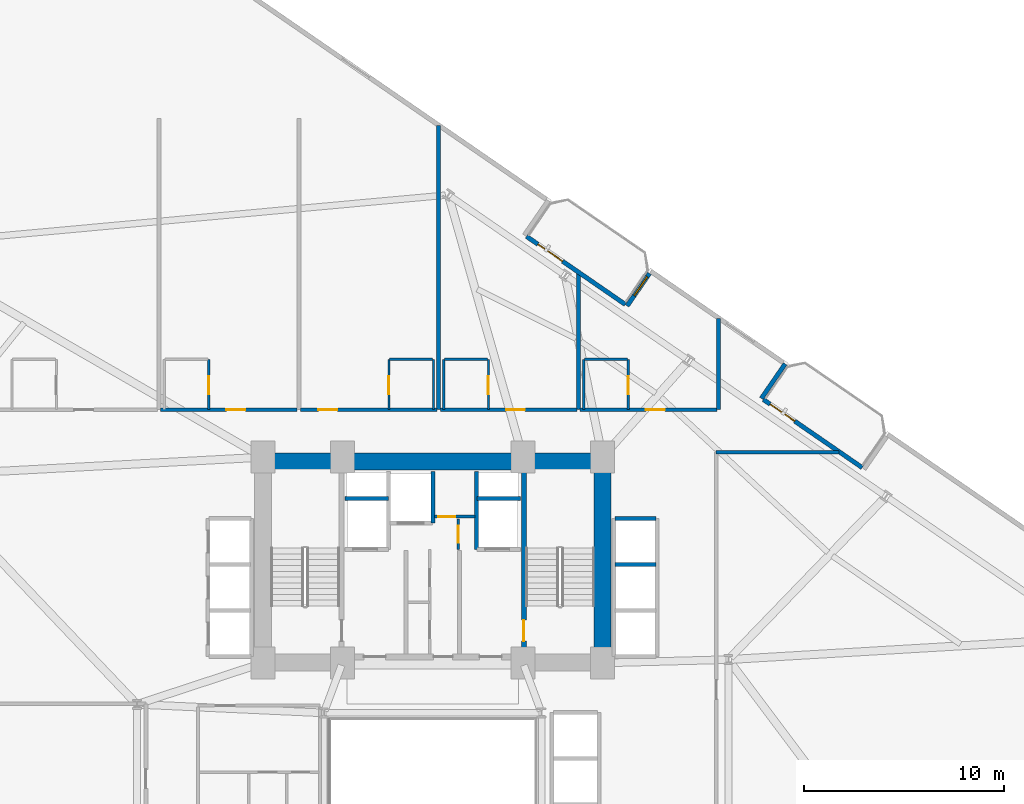
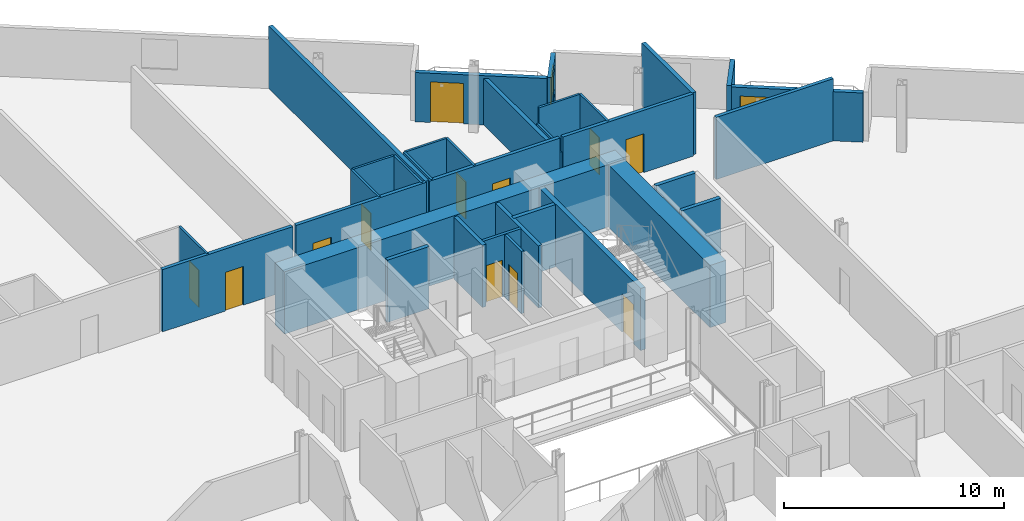
# One storey, part 20 of 25: 33 walls, 13 doors, 1 window, 14 openings.
"""IFC4 building model written with IfcOpenShell, lengths in metres."""

import ifcopenshell
import ifcopenshell.guid

model = None  # the IFC model being written
_history = None  # IfcOwnerHistory: only IFC2X3 demands one
_inside = {}  # id of a spatial element -> (the spatial element, [elements in it])
_under = {}  # id of a project, library or spatial element -> (it, [spatial elements below it])
_declared = {}  # id of a project -> (the project, [libraries it declares])
_typed = {}  # id of a type object -> (the type object, [elements of that type])
_made_of = {}  # id of a material, layer set ... -> (it, [elements and type objects made of it])


def new_model(schema):
    """Start an empty IFC model of exactly this schema.

    Asked for "IFC4X3", IfcOpenShell would pick the latest addendum, in which some entities
    have other attributes; the version numbers below select the first issue.
    IFC2X3 requires an IfcOwnerHistory on every rooted entity: one is made here for all.
    """
    global model, _history
    if schema == "IFC4X3":
        model = ifcopenshell.file(schema_version=(4, 3, 0, 0))
    else:
        model = ifcopenshell.file(schema=schema)
    _inside.clear()
    _under.clear()
    _declared.clear()
    _typed.clear()
    _made_of.clear()
    _history = None
    if model.schema == "IFC2X3":
        org = make("IfcOrganization", Name="unknown")
        user = make(
            "IfcPersonAndOrganization",
            ThePerson=make("IfcPerson", FamilyName="unknown"),
            TheOrganization=org,
        )
        app = make(
            "IfcApplication",
            ApplicationDeveloper=org,
            Version="unknown",
            ApplicationFullName="unknown",
            ApplicationIdentifier="unknown",
        )
        _history = make(
            "IfcOwnerHistory",
            OwningUser=user,
            OwningApplication=app,
            ChangeAction="ADDED",
            CreationDate=0,
        )
    return model


def make(cls, **values):
    """One entity of the class cls with the attributes given. An attribute that is None is left unset."""
    return model.create_entity(
        cls, **{name: value for name, value in values.items() if value is not None}
    )


def rooted(cls, **values):
    """An entity with a GlobalId (a new one), such as an element, a storey or a relation."""
    return make(cls, GlobalId=ifcopenshell.guid.new(), OwnerHistory=_history, **values)


def si_unit(unit_type, name, prefix=None):
    """IfcSIUnit, for example si_unit("LENGTHUNIT", "METRE", prefix="MILLI")."""
    return make("IfcSIUnit", UnitType=unit_type, Prefix=prefix, Name=name)


def assignment(units):
    """IfcUnitAssignment: the units of a project."""
    return None if units is None else make("IfcUnitAssignment", Units=units)


def point(xyz):
    """IfcCartesianPoint."""
    return None if xyz is None else make("IfcCartesianPoint", Coordinates=xyz)


def direction(xyz):
    """IfcDirection."""
    return None if xyz is None else make("IfcDirection", DirectionRatios=xyz)


def frame(location, z_axis=None, x_axis=None):
    """IfcAxis2Placement3D, a coordinate frame: its origin and axes. An axis left out is left unset."""
    return make(
        "IfcAxis2Placement3D",
        Location=point(location),
        Axis=direction(z_axis),
        RefDirection=direction(x_axis),
    )


def frame_2d(location, x_axis=None):
    """IfcAxis2Placement2D, a coordinate frame in the plane: its origin and x axis."""
    return make(
        "IfcAxis2Placement2D", Location=point(location), RefDirection=direction(x_axis)
    )


def origin():
    """The frame at (0, 0, 0) with its axes left unset."""
    return frame((0.0, 0.0, 0.0))


def place(relative_to, where):
    """IfcLocalPlacement: puts the frame where relative to a parent placement (None: the world)."""
    return make(
        "IfcLocalPlacement", PlacementRelTo=relative_to, RelativePlacement=where
    )


def context(
    kind, dimensions, precision=None, world=None, true_north=None, identifier=None
):
    """IfcGeometricRepresentationContext, for example the 3D "Model" context."""
    return make(
        "IfcGeometricRepresentationContext",
        ContextIdentifier=identifier,
        ContextType=kind,
        CoordinateSpaceDimension=dimensions,
        Precision=precision,
        WorldCoordinateSystem=world,
        TrueNorth=true_north,
    )


def subcontext(parent, identifier, kind, view, scale=None):
    """IfcGeometricRepresentationSubContext, for example "Body" below "Model"."""
    return make(
        "IfcGeometricRepresentationSubContext",
        ContextIdentifier=identifier,
        ContextType=kind,
        ParentContext=parent,
        TargetScale=scale,
        TargetView=view,
    )


def project(units=None, contexts=None):
    """IfcProject with its units and contexts."""
    return rooted(
        "IfcProject",
        Name="project",
        RepresentationContexts=contexts,
        UnitsInContext=assignment(units),
    )


def spatial(cls, under=None, at=None, **own):
    """A site, building, storey or space (cls), placed at a placement, below another one or the project."""
    s = rooted(cls, ObjectPlacement=at, **own)
    if under is not None:
        _under.setdefault(under.id(), (under, []))[1].append(s)
    return s


def profile(cls, at=None, kind="AREA", **sizes):
    """A parametric profile (cls). Its sizes go by their IFC names, for example OverallWidth=200.0."""
    return make(cls, ProfileType=kind, Position=at, **sizes)


def rectangle(**sizes):
    """IfcRectangleProfileDef."""
    return profile("IfcRectangleProfileDef", **sizes)


def extrude(swept, where, along, depth):
    """IfcExtrudedAreaSolid: the profile swept, set in the frame where, extruded along a direction by depth."""
    return make(
        "IfcExtrudedAreaSolid",
        SweptArea=swept,
        Position=where,
        ExtrudedDirection=direction(along),
        Depth=depth,
    )


def shape(context_of_items, identifier, shape_type, items):
    """IfcShapeRepresentation: the items that make up one representation, for example the "Body"."""
    return make(
        "IfcShapeRepresentation",
        ContextOfItems=context_of_items,
        RepresentationIdentifier=identifier,
        RepresentationType=shape_type,
        Items=items,
    )


def material(Name=None, Category=None):
    """IfcMaterial."""
    return make("IfcMaterial", Name=Name, Category=Category)


def layer(
    of_material, thickness, ventilated=None, Name=None, Category=None, Priority=None
):
    """IfcMaterialLayer: one layer of a wall or slab, of a material (None: an air gap)."""
    return make(
        "IfcMaterialLayer",
        Material=of_material,
        LayerThickness=thickness,
        IsVentilated=ventilated,
        Name=Name,
        Category=Category,
        Priority=Priority,
    )


def layer_set(layers, Name=None):
    """IfcMaterialLayerSet."""
    return make("IfcMaterialLayerSet", MaterialLayers=layers, LayerSetName=Name)


def made_of(thing, what):
    """Note that an element or type object is made of a material, layer set ...; save() writes the relation."""
    if what is not None:
        _made_of.setdefault(what.id(), (what, []))[1].append(thing)
    return thing


def type_object(cls, material=None, **own):
    """A type object (cls), such as IfcWallType, which elements share."""
    return made_of(rooted(cls, **own), material)


def element(
    cls,
    number,
    at=None,
    inside=None,
    cuts=None,
    type_object=None,
    material=None,
    context=None,
    identifier="Body",
    shape_type=None,
    held_by="IfcProductDefinitionShape",
    body=None,
    shapes=None,
    **own,
):
    """One element of the class cls, such as IfcWall. Its Tag is "e" and its number.

    at: its placement. inside: the storey or other place that contains it. cuts: it is an
    opening in that element (IfcRelVoidsElement). A single representation is given by context,
    identifier, shape_type and body (its items); several are given by shapes. held_by: the class
    of the entity that holds the representations. save() writes the other relations.
    """
    e = rooted(cls, Tag="e%d" % number, ObjectPlacement=at, **own)
    if body is not None:
        shapes = [shape(context, identifier, shape_type, body)]
    if shapes is not None:
        e.Representation = make(held_by, Representations=shapes)
    if inside is not None:
        _inside.setdefault(inside.id(), (inside, []))[1].append(e)
    if cuts is not None:
        rooted(
            "IfcRelVoidsElement", RelatingBuildingElement=cuts, RelatedOpeningElement=e
        )
    if type_object is not None:
        _typed.setdefault(type_object.id(), (type_object, []))[1].append(e)
    return made_of(e, material)


def fill(opening, filler):
    """IfcRelFillsElement: the door or window that sits in an opening."""
    return rooted(
        "IfcRelFillsElement",
        RelatingOpeningElement=opening,
        RelatedBuildingElement=filler,
    )


def aggregate(whole, parts):
    """IfcRelAggregates: a whole, such as a stair, and the parts it consists of."""
    return rooted("IfcRelAggregates", RelatingObject=whole, RelatedObjects=parts)


def save(model, path):
    """Write the relations noted so far, then the file.

    IfcRelAggregates (storeys below a building ...), IfcRelContainedInSpatialStructure (elements
    in a storey), IfcRelDefinesByType, IfcRelAssociatesMaterial and IfcRelDeclares: one each for
    every whole, place, type object, material and project.
    """
    for whole, parts in _under.values():
        aggregate(whole, parts)
    for where, things in _inside.values():
        rooted(
            "IfcRelContainedInSpatialStructure",
            RelatedElements=things,
            RelatingStructure=where,
        )
    for kind, things in _typed.values():
        rooted("IfcRelDefinesByType", RelatedObjects=things, RelatingType=kind)
    for what, things in _made_of.values():
        rooted("IfcRelAssociatesMaterial", RelatedObjects=things, RelatingMaterial=what)
    for by, libraries in _declared.values():
        rooted("IfcRelDeclares", RelatingContext=by, RelatedDefinitions=libraries)
    model.write(path)


model = new_model("IFC4")

# Units and contexts
model_context = context("Model", 3, precision=1e-05, world=origin(), true_north=direction((0.0, 1.0)))
body_context = subcontext(model_context, "Body", "Model", "MODEL_VIEW")
ifc_project = project(units=[si_unit("LENGTHUNIT", "METRE"), si_unit("AREAUNIT", "SQUARE_METRE"), si_unit("VOLUMEUNIT", "CUBIC_METRE"), si_unit("PLANEANGLEUNIT", "RADIAN"), si_unit("MASSUNIT", "GRAM", prefix="KILO")], contexts=[model_context])

# Site, building, storey
site_placement = place(None, origin())
site = spatial("IfcSite", under=ifc_project, at=site_placement, CompositionType="ELEMENT")
building_placement = place(site_placement, origin())
building = spatial("IfcBuilding", under=site, at=building_placement, Name="Varnelok Gate Tower", CompositionType="ELEMENT")
storey_placement = place(building_placement, frame((0.0, 0.0, 34.39990234375)))
storey = spatial("IfcBuildingStorey", under=building, at=storey_placement, Name="L07", CompositionType="ELEMENT", Elevation=34.39990234375)

# Wall, opening, door
ifc_material_1 = material(Name="Concrete C45/55", Category="concrete")
ifc_layer_1 = layer(ifc_material_1, 0.219970703125)
ifc_layer_set_1 = layer_set([ifc_layer_1], Name="Concrete C45/55")
wall_type_1 = type_object("IfcWallType", Name="EW-BALC-220", PredefinedType="SOLIDWALL", material=ifc_layer_set_1)
wall_1_placement = place(storey_placement, frame((43.898193359375, 50.1015625, 0.0), z_axis=(0.0, 0.0, 1.0), x_axis=(0.823534636215, -0.567265989598, 0.0)))
wall_1 = element("IfcWall", 1, at=wall_1_placement, inside=storey, type_object=wall_type_1, Name="L07 North Terrace Envelope Wall 3", PredefinedType="SOLIDWALL", context=body_context, shape_type="SweptSolid", body=[
    extrude(rectangle(XDim=6.0, YDim=0.219970703125, at=frame_2d((3.0, 0.0))), origin(), (0.0, 0.0, 1.0), 2.72998046875),
])
opening_1_placement = place(wall_1_placement, frame((0.696044921875, 0.0, 0.0)))
opening_1 = element("IfcOpeningElement", 2, at=opening_1_placement, cuts=wall_1, Name="Opening BD-1", PredefinedType="OPENING", context=body_context, shape_type="SweptSolid", body=[
    extrude(rectangle(XDim=1.5, YDim=2.25, at=frame_2d((0.75, 1.125))), frame((0.0, 0.119873046875, 0.0), z_axis=(0.0, -1.0, 0.0), x_axis=(1.0, 0.0, 0.0)), (0.0, 0.0, 1.0), 0.239990234375),
])
ifc_material_2 = material(Name="Anodized Aluminum Alloy 6063-T6", Category="aluminium")
door_type_1 = type_object("IfcDoorType", Name="DR-EXT-BALC1500", OperationType="NOTDEFINED", PredefinedType="DOOR", material=ifc_material_2)
door_1_placement = place(opening_1_placement, origin())
door_1 = element("IfcDoor", 3, at=door_1_placement, inside=storey, type_object=door_type_1, Name="L07 North Balcony Glazed Door 3", OperationType="SINGLE_SWING_RIGHT", OverallHeight=2.25, OverallWidth=1.5, PredefinedType="DOOR", context=body_context, shape_type="SweptSolid", body=[
    extrude(rectangle(XDim=1.5, YDim=2.25, at=frame_2d((0.75, 1.125))), frame((0.0, 0.02490234375, 0.0), z_axis=(0.0, -1.0, 0.0), x_axis=(1.0, 0.0, 0.0)), (0.0, 0.0, 1.0), 0.050048828125),
])
fill(opening_1, door_1)

wall_2_placement = place(storey_placement, frame((55.757080078125, 41.932861328125, 0.0), z_axis=(0.0, 0.0, 1.0), x_axis=(0.823534636215, -0.567265989598, 0.0)))
wall_2 = element("IfcWall", 4, at=wall_2_placement, inside=storey, type_object=wall_type_1, Name="L07 North Terrace Envelope Wall 4", PredefinedType="SOLIDWALL", context=body_context, shape_type="SweptSolid", body=[
    extrude(rectangle(XDim=6.0, YDim=0.219970703125, at=frame_2d((3.0, 0.0))), origin(), (0.0, 0.0, 1.0), 2.72998046875),
])
opening_2_placement = place(wall_2_placement, frame((0.39990234375, 0.0, 0.0)))
opening_2 = element("IfcOpeningElement", 5, at=opening_2_placement, cuts=wall_2, Name="Opening BD-1", PredefinedType="OPENING", context=body_context, shape_type="SweptSolid", body=[
    extrude(rectangle(XDim=1.5, YDim=2.25, at=frame_2d((0.75, 1.125))), frame((0.0, 0.119873046875, 0.0), z_axis=(0.0, -1.0, 0.0), x_axis=(1.0, 0.0, 0.0)), (0.0, 0.0, 1.0), 0.239990234375),
])
door_2_placement = place(opening_2_placement, origin())
door_2 = element("IfcDoor", 6, at=door_2_placement, inside=storey, type_object=door_type_1, Name="L07 North Balcony Glazed Door 4", OperationType="SINGLE_SWING_LEFT", OverallHeight=2.25, OverallWidth=1.5, PredefinedType="DOOR", context=body_context, shape_type="SweptSolid", body=[
    extrude(rectangle(XDim=1.5, YDim=2.25, at=frame_2d((0.75, 1.125))), frame((0.0, 0.02490234375, 0.0), z_axis=(0.0, -1.0, 0.0), x_axis=(1.0, 0.0, 0.0)), (0.0, 0.0, 1.0), 0.050048828125),
])
fill(opening_2, door_2)

# Wall
wall_3_placement = place(storey_placement, frame((55.652587890625, 41.99267578125, 0.0), z_axis=(0.0, 0.0, 1.0), x_axis=(0.567273696173, 0.823529327729, 0.0)))
element("IfcWall", 7, at=wall_3_placement, inside=storey, type_object=wall_type_1, Name="L07 Perimeter Facade Closure Wall 28", PredefinedType="SOLIDWALL", context=body_context, shape_type="SweptSolid", body=[
    extrude(rectangle(XDim=2.099853515625, YDim=0.219970703125, at=frame_2d((1.0498046875, 0.0))), origin(), (0.0, 0.0, 1.0), 2.72998046875),
])

# Wall, opening, window
wall_4_placement = place(storey_placement, frame((50.052978515625, 48.248046875, 0.0), z_axis=(0.0, 0.0, 1.0), x_axis=(-0.567273565974, -0.823529417415, 0.0)))
wall_4 = element("IfcWall", 8, at=wall_4_placement, inside=storey, type_object=wall_type_1, Name="L07 Perimeter Facade Closure Wall 30", PredefinedType="SOLIDWALL", context=body_context, shape_type="SweptSolid", body=[
    extrude(rectangle(XDim=1.97509765625, YDim=0.219970703125, at=frame_2d((0.987548828125, 0.0))), origin(), (0.0, 0.0, 1.0), 2.72998046875),
])
opening_3_placement = place(wall_4_placement, frame((0.199951171875, 0.0, 0.800048828125)))
opening_3 = element("IfcOpeningElement", 9, at=opening_3_placement, cuts=wall_4, Name="Opening WN8", PredefinedType="OPENING", context=body_context, shape_type="SweptSolid", body=[
    extrude(rectangle(XDim=1.14990234375, YDim=1.39990234375, at=frame_2d((0.574951171875, 0.699951171875))), frame((0.0, 0.119873046875, 0.0), z_axis=(0.0, -1.0, 0.0), x_axis=(1.0, 0.0, 0.0)), (0.0, 0.0, 1.0), 0.239990234375),
])
ifc_material_3 = material(Name="Low-E Laminated Double Glazing IGU", Category="glass")
window_type = type_object("IfcWindowType", Name="WN-BED-1150", PartitioningType="SINGLE_PANEL", PredefinedType="WINDOW", material=ifc_material_3)
window_placement = place(opening_3_placement, origin())
window = element("IfcWindow", 10, at=window_placement, inside=storey, type_object=window_type, Name="L07 Bedroom Vision Window 6", OverallHeight=1.39990234375, OverallWidth=1.14990234375, PartitioningType="SINGLE_PANEL", PredefinedType="WINDOW", context=body_context, shape_type="SweptSolid", body=[
    extrude(rectangle(XDim=1.14990234375, YDim=1.39990234375, at=frame_2d((0.574951171875, 0.699951171875))), frame((0.0, 0.030029296875, 0.0), z_axis=(0.0, -1.0, 0.0), x_axis=(1.0, 0.0, 0.0)), (0.0, 0.0, 1.0), 0.06005859375),
])
fill(opening_3, window)

# Wall, opening, door
ifc_material_4 = material(Name="Gypsum Plasterboard Acoustic Partition", Category="gypsum")
ifc_layer_2 = layer(ifc_material_4, 0.179931640625)
ifc_layer_set_2 = layer_set([ifc_layer_2], Name="Gypsum Plasterboard Acoustic Partition")
wall_type_2 = type_object("IfcWallType", Name="PW-CORR-180", PredefinedType="PARTITIONING", material=ifc_layer_set_2)
wall_5_placement = place(storey_placement, frame((25.580078125, 41.429931640625, 0.0), z_axis=(0.0, 0.0, 1.0), x_axis=(1.0, 0.0, 0.0)))
wall_5 = element("IfcWall", 11, at=wall_5_placement, inside=storey, type_object=wall_type_2, Name="Interior Partition", PredefinedType="PARTITIONING", context=body_context, shape_type="SweptSolid", body=[
    extrude(rectangle(XDim=6.83984375, YDim=0.179931640625, at=frame_2d((3.419921875, 0.0))), origin(), (0.0, 0.0, 1.0), 3.4501953125),
])
opening_4_placement = place(wall_5_placement, frame((3.2900390625, 0.0, 0.0)))
opening_4 = element("IfcOpeningElement", 12, at=opening_4_placement, cuts=wall_5, Name="Opening D-HT", PredefinedType="OPENING", context=body_context, shape_type="SweptSolid", body=[
    extrude(rectangle(XDim=0.949951171875, YDim=2.14990234375, at=frame_2d((0.47509765625, 1.074951171875))), frame((0.0, 0.099853515625, 0.0), z_axis=(0.0, -1.0, 0.0), x_axis=(1.0, 0.0, 0.0)), (0.0, 0.0, 1.0), 0.199951171875),
])
ifc_material_5 = material(Name="Engineered Hardwood Timber", Category="wood")
door_type_2 = type_object("IfcDoorType", Name="DR-HTL-950", OperationType="NOTDEFINED", PredefinedType="DOOR", material=ifc_material_5)
door_3_placement = place(opening_4_placement, origin())
door_3 = element("IfcDoor", 13, at=door_3_placement, inside=storey, type_object=door_type_2, Name="L07 Guest Room 14 Entrance Door", OperationType="SINGLE_SWING_LEFT", OverallHeight=2.14990234375, OverallWidth=0.949951171875, PredefinedType="DOOR", context=body_context, shape_type="SweptSolid", body=[
    extrude(rectangle(XDim=0.949951171875, YDim=2.14990234375, at=frame_2d((0.47509765625, 1.074951171875))), frame((0.0, 0.02490234375, 0.0), z_axis=(0.0, -1.0, 0.0), x_axis=(1.0, 0.0, 0.0)), (0.0, 0.0, 1.0), 0.050048828125),
])
fill(opening_4, door_3)

wall_6_placement = place(storey_placement, frame((32.580078125, 41.429931640625, 0.0), z_axis=(0.0, 0.0, 1.0), x_axis=(1.0, 0.0, 0.0)))
wall_6 = element("IfcWall", 14, at=wall_6_placement, inside=storey, type_object=wall_type_2, Name="Interior Partition", PredefinedType="PARTITIONING", context=body_context, shape_type="SweptSolid", body=[
    extrude(rectangle(XDim=6.83984375, YDim=0.179931640625, at=frame_2d((3.419921875, 0.0))), origin(), (0.0, 0.0, 1.0), 3.4501953125),
])
opening_5_placement = place(wall_6_placement, frame((0.89990234375, 0.0, 0.0)))
opening_5 = element("IfcOpeningElement", 15, at=opening_5_placement, cuts=wall_6, Name="Opening D-HT", PredefinedType="OPENING", context=body_context, shape_type="SweptSolid", body=[
    extrude(rectangle(XDim=0.949951171875, YDim=2.14990234375, at=frame_2d((0.47509765625, 1.074951171875))), frame((0.0, 0.099853515625, 0.0), z_axis=(0.0, -1.0, 0.0), x_axis=(1.0, 0.0, 0.0)), (0.0, 0.0, 1.0), 0.199951171875),
])
door_4_placement = place(opening_5_placement, origin())
door_4 = element("IfcDoor", 16, at=door_4_placement, inside=storey, type_object=door_type_2, Name="L07 Guest Room 15 Entrance Door", OperationType="SINGLE_SWING_RIGHT", OverallHeight=2.14990234375, OverallWidth=0.949951171875, PredefinedType="DOOR", context=body_context, shape_type="SweptSolid", body=[
    extrude(rectangle(XDim=0.949951171875, YDim=2.14990234375, at=frame_2d((0.47509765625, 1.074951171875))), frame((0.0, 0.02490234375, 0.0), z_axis=(0.0, -1.0, 0.0), x_axis=(1.0, 0.0, 0.0)), (0.0, 0.0, 1.0), 0.050048828125),
])
fill(opening_5, door_4)

wall_7_placement = place(storey_placement, frame((39.580078125, 41.429931640625, 0.0), z_axis=(0.0, 0.0, 1.0), x_axis=(1.0, 0.0, 0.0)))
wall_7 = element("IfcWall", 17, at=wall_7_placement, inside=storey, type_object=wall_type_2, Name="Interior Partition", PredefinedType="PARTITIONING", context=body_context, shape_type="SweptSolid", body=[
    extrude(rectangle(XDim=6.83984375, YDim=0.179931640625, at=frame_2d((3.419921875, 0.0))), origin(), (0.0, 0.0, 1.0), 3.4501953125),
])
opening_6_placement = place(wall_7_placement, frame((3.2900390625, 0.0, 0.0)))
opening_6 = element("IfcOpeningElement", 18, at=opening_6_placement, cuts=wall_7, Name="Opening D-HT", PredefinedType="OPENING", context=body_context, shape_type="SweptSolid", body=[
    extrude(rectangle(XDim=0.949951171875, YDim=2.14990234375, at=frame_2d((0.47509765625, 1.074951171875))), frame((0.0, 0.099853515625, 0.0), z_axis=(0.0, -1.0, 0.0), x_axis=(1.0, 0.0, 0.0)), (0.0, 0.0, 1.0), 0.199951171875),
])
door_5_placement = place(opening_6_placement, origin())
door_5 = element("IfcDoor", 19, at=door_5_placement, inside=storey, type_object=door_type_2, Name="L07 Guest Room 16 Entrance Door", OperationType="SINGLE_SWING_LEFT", OverallHeight=2.14990234375, OverallWidth=0.949951171875, PredefinedType="DOOR", context=body_context, shape_type="SweptSolid", body=[
    extrude(rectangle(XDim=0.949951171875, YDim=2.14990234375, at=frame_2d((0.47509765625, 1.074951171875))), frame((0.0, 0.02490234375, 0.0), z_axis=(0.0, -1.0, 0.0), x_axis=(1.0, 0.0, 0.0)), (0.0, 0.0, 1.0), 0.050048828125),
])
fill(opening_6, door_5)

wall_8_placement = place(storey_placement, frame((46.580078125, 41.429931640625, 0.0), z_axis=(0.0, 0.0, 1.0), x_axis=(1.0, 0.0, 0.0)))
wall_8 = element("IfcWall", 20, at=wall_8_placement, inside=storey, type_object=wall_type_2, Name="Interior Partition", PredefinedType="PARTITIONING", context=body_context, shape_type="SweptSolid", body=[
    extrude(rectangle(XDim=6.83984375, YDim=0.179931640625, at=frame_2d((3.419921875, 0.0))), origin(), (0.0, 0.0, 1.0), 3.4501953125),
])
opening_7_placement = place(wall_8_placement, frame((3.2900390625, 0.0, 0.0)))
opening_7 = element("IfcOpeningElement", 21, at=opening_7_placement, cuts=wall_8, Name="Opening D-HT", PredefinedType="OPENING", context=body_context, shape_type="SweptSolid", body=[
    extrude(rectangle(XDim=0.949951171875, YDim=2.14990234375, at=frame_2d((0.47509765625, 1.074951171875))), frame((0.0, 0.099853515625, 0.0), z_axis=(0.0, -1.0, 0.0), x_axis=(1.0, 0.0, 0.0)), (0.0, 0.0, 1.0), 0.199951171875),
])
door_6_placement = place(opening_7_placement, origin())
door_6 = element("IfcDoor", 22, at=door_6_placement, inside=storey, type_object=door_type_2, Name="L07 Guest Room 17 Entrance Door", OperationType="SINGLE_SWING_RIGHT", OverallHeight=2.14990234375, OverallWidth=0.949951171875, PredefinedType="DOOR", context=body_context, shape_type="SweptSolid", body=[
    extrude(rectangle(XDim=0.949951171875, YDim=2.14990234375, at=frame_2d((0.47509765625, 1.074951171875))), frame((0.0, 0.02490234375, 0.0), z_axis=(0.0, -1.0, 0.0), x_axis=(1.0, 0.0, 0.0)), (0.0, 0.0, 1.0), 0.050048828125),
])
fill(opening_7, door_6)

# Wall
wall_9_placement = place(storey_placement, frame((53.389892578125, 39.300048828125, 0.0), z_axis=(0.0, 0.0, 1.0), x_axis=(1.0, 0.0, 0.0)))
element("IfcWall", 23, at=wall_9_placement, inside=storey, type_object=wall_type_2, Name="Interior Partition", PredefinedType="PARTITIONING", context=body_context, shape_type="SweptSolid", body=[
    extrude(rectangle(XDim=6.136474609375, YDim=0.179931640625, at=frame_2d((3.068359375, 0.0))), origin(), (0.0, 0.0, 1.0), 3.4501953125),
])

# Wall, opening, door
ifc_layer_3 = layer(ifc_material_4, 0.114990234375)
ifc_layer_set_3 = layer_set([ifc_layer_3], Name="Gypsum Plasterboard Acoustic Partition")
wall_type_3 = type_object("IfcWallType", Name="PW-ENS-125", PredefinedType="PARTITIONING", material=ifc_layer_set_3)
wall_10_placement = place(storey_placement, frame((27.989990234375, 41.429931640625, 0.0), z_axis=(0.0, 0.0, 1.0), x_axis=(0.0, 1.0, 0.0)))
wall_10 = element("IfcWall", 24, at=wall_10_placement, inside=storey, type_object=wall_type_3, Name="Interior Partition", PredefinedType="PARTITIONING", context=body_context, shape_type="SweptSolid", body=[
    extrude(rectangle(XDim=2.52001953125, YDim=0.114990234375, at=frame_2d((1.260009765625, 0.0))), origin(), (0.0, 0.0, 1.0), 3.4501953125),
])
opening_8_placement = place(wall_10_placement, frame((0.760009765625, 0.0, 0.0)))
opening_8 = element("IfcOpeningElement", 25, at=opening_8_placement, cuts=wall_10, Name="Opening D-WC", PredefinedType="OPENING", context=body_context, shape_type="SweptSolid", body=[
    extrude(rectangle(XDim=0.89990234375, YDim=2.050048828125, at=frame_2d((0.449951171875, 1.02490234375))), frame((0.0, 0.0673828125, 0.0), z_axis=(0.0, -1.0, 0.0), x_axis=(1.0, 0.0, 0.0)), (0.0, 0.0, 1.0), 0.135009765625),
])
door_type_3 = type_object("IfcDoorType", Name="DR-BATH-900", OperationType="NOTDEFINED", PredefinedType="DOOR", material=ifc_material_5)
door_7_placement = place(opening_8_placement, origin())
door_7 = element("IfcDoor", 26, at=door_7_placement, inside=storey, type_object=door_type_3, Name="L07 North En-Suite 14 Door", OperationType="SINGLE_SWING_RIGHT", OverallHeight=2.050048828125, OverallWidth=0.89990234375, PredefinedType="DOOR", context=body_context, shape_type="SweptSolid", body=[
    extrude(rectangle(XDim=0.89990234375, YDim=2.050048828125, at=frame_2d((0.449951171875, 1.02490234375))), frame((0.0, 0.02490234375, 0.0), z_axis=(0.0, -1.0, 0.0), x_axis=(1.0, 0.0, 0.0)), (0.0, 0.0, 1.0), 0.050048828125),
])
fill(opening_8, door_7)

# Wall
wall_11_placement = place(storey_placement, frame((37.050048828125, 43.949951171875, 0.0), z_axis=(0.0, 0.0, 1.0), x_axis=(1.0, 0.0, 0.0)))
element("IfcWall", 27, at=wall_11_placement, inside=storey, type_object=wall_type_3, Name="Interior Partition", PredefinedType="PARTITIONING", context=body_context, shape_type="SweptSolid", body=[
    extrude(rectangle(XDim=2.14990234375, YDim=0.114990234375, at=frame_2d((1.074951171875, 0.0))), origin(), (0.0, 0.0, 1.0), 3.4501953125),
])

# Wall, opening, door
wall_12_placement = place(storey_placement, frame((37.010009765625, 41.429931640625, 0.0), z_axis=(0.0, 0.0, 1.0), x_axis=(0.0, 1.0, 0.0)))
wall_12 = element("IfcWall", 28, at=wall_12_placement, inside=storey, type_object=wall_type_3, Name="Interior Partition", PredefinedType="PARTITIONING", context=body_context, shape_type="SweptSolid", body=[
    extrude(rectangle(XDim=2.52001953125, YDim=0.114990234375, at=frame_2d((1.260009765625, 0.0))), origin(), (0.0, 0.0, 1.0), 3.4501953125),
])
opening_9_placement = place(wall_12_placement, frame((0.760009765625, 0.0, 0.0)))
opening_9 = element("IfcOpeningElement", 29, at=opening_9_placement, cuts=wall_12, Name="Opening D-WC", PredefinedType="OPENING", context=body_context, shape_type="SweptSolid", body=[
    extrude(rectangle(XDim=0.89990234375, YDim=2.050048828125, at=frame_2d((0.449951171875, 1.02490234375))), frame((0.0, 0.0673828125, 0.0), z_axis=(0.0, -1.0, 0.0), x_axis=(1.0, 0.0, 0.0)), (0.0, 0.0, 1.0), 0.135009765625),
])
door_8_placement = place(opening_9_placement, origin())
door_8 = element("IfcDoor", 30, at=door_8_placement, inside=storey, type_object=door_type_3, Name="L07 North En-Suite 15 Door", OperationType="SINGLE_SWING_LEFT", OverallHeight=2.050048828125, OverallWidth=0.89990234375, PredefinedType="DOOR", context=body_context, shape_type="SweptSolid", body=[
    extrude(rectangle(XDim=0.89990234375, YDim=2.050048828125, at=frame_2d((0.449951171875, 1.02490234375))), frame((0.0, 0.02490234375, 0.0), z_axis=(0.0, -1.0, 0.0), x_axis=(1.0, 0.0, 0.0)), (0.0, 0.0, 1.0), 0.050048828125),
])
fill(opening_9, door_8)

# Walls
wall_13_placement = place(storey_placement, frame((39.239990234375, 41.429931640625, 0.0), z_axis=(0.0, 0.0, 1.0), x_axis=(0.0, 1.0, 0.0)))
element("IfcWall", 31, at=wall_13_placement, inside=storey, type_object=wall_type_3, Name="Interior Partition", PredefinedType="PARTITIONING", context=body_context, shape_type="SweptSolid", body=[
    extrude(rectangle(XDim=2.52001953125, YDim=0.114990234375, at=frame_2d((1.260009765625, 0.0))), origin(), (0.0, 0.0, 1.0), 3.4501953125),
])
wall_14_placement = place(storey_placement, frame((39.800048828125, 43.949951171875, 0.0), z_axis=(0.0, 0.0, 1.0), x_axis=(1.0, 0.0, 0.0)))
element("IfcWall", 32, at=wall_14_placement, inside=storey, type_object=wall_type_3, Name="Interior Partition", PredefinedType="PARTITIONING", context=body_context, shape_type="SweptSolid", body=[
    extrude(rectangle(XDim=2.14990234375, YDim=0.114990234375, at=frame_2d((1.074951171875, 0.0))), origin(), (0.0, 0.0, 1.0), 3.4501953125),
])

# Wall, opening, door
wall_15_placement = place(storey_placement, frame((41.989990234375, 41.429931640625, 0.0), z_axis=(0.0, 0.0, 1.0), x_axis=(0.0, 1.0, 0.0)))
wall_15 = element("IfcWall", 33, at=wall_15_placement, inside=storey, type_object=wall_type_3, Name="Interior Partition", PredefinedType="PARTITIONING", context=body_context, shape_type="SweptSolid", body=[
    extrude(rectangle(XDim=2.52001953125, YDim=0.114990234375, at=frame_2d((1.260009765625, 0.0))), origin(), (0.0, 0.0, 1.0), 3.4501953125),
])
opening_10_placement = place(wall_15_placement, frame((0.760009765625, 0.0, 0.0)))
opening_10 = element("IfcOpeningElement", 34, at=opening_10_placement, cuts=wall_15, Name="Opening D-WC", PredefinedType="OPENING", context=body_context, shape_type="SweptSolid", body=[
    extrude(rectangle(XDim=0.89990234375, YDim=2.050048828125, at=frame_2d((0.449951171875, 1.02490234375))), frame((0.0, 0.0673828125, 0.0), z_axis=(0.0, -1.0, 0.0), x_axis=(1.0, 0.0, 0.0)), (0.0, 0.0, 1.0), 0.135009765625),
])
door_9_placement = place(opening_10_placement, origin())
door_9 = element("IfcDoor", 35, at=door_9_placement, inside=storey, type_object=door_type_3, Name="L07 North En-Suite 16 Door", OperationType="SINGLE_SWING_RIGHT", OverallHeight=2.050048828125, OverallWidth=0.89990234375, PredefinedType="DOOR", context=body_context, shape_type="SweptSolid", body=[
    extrude(rectangle(XDim=0.89990234375, YDim=2.050048828125, at=frame_2d((0.449951171875, 1.02490234375))), frame((0.0, 0.02490234375, 0.0), z_axis=(0.0, -1.0, 0.0), x_axis=(1.0, 0.0, 0.0)), (0.0, 0.0, 1.0), 0.050048828125),
])
fill(opening_10, door_9)

# Walls
wall_16_placement = place(storey_placement, frame((39.760009765625, 41.429931640625, 0.0), z_axis=(0.0, 0.0, 1.0), x_axis=(0.0, 1.0, 0.0)))
element("IfcWall", 36, at=wall_16_placement, inside=storey, type_object=wall_type_3, Name="Interior Partition", PredefinedType="PARTITIONING", context=body_context, shape_type="SweptSolid", body=[
    extrude(rectangle(XDim=2.52001953125, YDim=0.114990234375, at=frame_2d((1.260009765625, 0.0))), origin(), (0.0, 0.0, 1.0), 3.4501953125),
])
wall_17_placement = place(storey_placement, frame((46.800048828125, 43.949951171875, 0.0), z_axis=(0.0, 0.0, 1.0), x_axis=(1.0, 0.0, 0.0)))
element("IfcWall", 37, at=wall_17_placement, inside=storey, type_object=wall_type_3, Name="Interior Partition", PredefinedType="PARTITIONING", context=body_context, shape_type="SweptSolid", body=[
    extrude(rectangle(XDim=2.14990234375, YDim=0.114990234375, at=frame_2d((1.074951171875, 0.0))), origin(), (0.0, 0.0, 1.0), 3.4501953125),
])

# Wall, opening, door
wall_18_placement = place(storey_placement, frame((48.989990234375, 41.429931640625, 0.0), z_axis=(0.0, 0.0, 1.0), x_axis=(0.0, 1.0, 0.0)))
wall_18 = element("IfcWall", 38, at=wall_18_placement, inside=storey, type_object=wall_type_3, Name="Interior Partition", PredefinedType="PARTITIONING", context=body_context, shape_type="SweptSolid", body=[
    extrude(rectangle(XDim=2.52001953125, YDim=0.114990234375, at=frame_2d((1.260009765625, 0.0))), origin(), (0.0, 0.0, 1.0), 3.4501953125),
])
opening_11_placement = place(wall_18_placement, frame((0.760009765625, 0.0, 0.0)))
opening_11 = element("IfcOpeningElement", 39, at=opening_11_placement, cuts=wall_18, Name="Opening D-WC", PredefinedType="OPENING", context=body_context, shape_type="SweptSolid", body=[
    extrude(rectangle(XDim=0.89990234375, YDim=2.050048828125, at=frame_2d((0.449951171875, 1.02490234375))), frame((0.0, 0.0673828125, 0.0), z_axis=(0.0, -1.0, 0.0), x_axis=(1.0, 0.0, 0.0)), (0.0, 0.0, 1.0), 0.135009765625),
])
door_10_placement = place(opening_11_placement, origin())
door_10 = element("IfcDoor", 40, at=door_10_placement, inside=storey, type_object=door_type_3, Name="L07 North En-Suite 17 Door", OperationType="SINGLE_SWING_RIGHT", OverallHeight=2.050048828125, OverallWidth=0.89990234375, PredefinedType="DOOR", context=body_context, shape_type="SweptSolid", body=[
    extrude(rectangle(XDim=0.89990234375, YDim=2.050048828125, at=frame_2d((0.449951171875, 1.02490234375))), frame((0.0, 0.02490234375, 0.0), z_axis=(0.0, -1.0, 0.0), x_axis=(1.0, 0.0, 0.0)), (0.0, 0.0, 1.0), 0.050048828125),
])
fill(opening_11, door_10)

# Wall
wall_19_placement = place(storey_placement, frame((46.760009765625, 41.429931640625, 0.0), z_axis=(0.0, 0.0, 1.0), x_axis=(0.0, 1.0, 0.0)))
element("IfcWall", 41, at=wall_19_placement, inside=storey, type_object=wall_type_3, Name="Interior Partition", PredefinedType="PARTITIONING", context=body_context, shape_type="SweptSolid", body=[
    extrude(rectangle(XDim=2.52001953125, YDim=0.114990234375, at=frame_2d((1.260009765625, 0.0))), origin(), (0.0, 0.0, 1.0), 2.580078125),
])

# Wall, opening, door
ifc_layer_4 = layer(ifc_material_4, 0.14990234375)
ifc_layer_set_4 = layer_set([ifc_layer_4], Name="Gypsum Plasterboard Acoustic Partition")
wall_type_4 = type_object("IfcWallType", Name="PW-PART-150", PredefinedType="PARTITIONING", material=ifc_layer_set_4)
wall_20_placement = place(storey_placement, frame((39.300048828125, 36.080078125, 0.0), z_axis=(0.0, 0.0, 1.0), x_axis=(1.0, 0.0, 0.0)))
wall_20 = element("IfcWall", 42, at=wall_20_placement, inside=storey, type_object=wall_type_4, Name="L07 Electrical Closet South Wall", PredefinedType="PARTITIONING", context=body_context, shape_type="SweptSolid", body=[
    extrude(rectangle(XDim=2.02001953125, YDim=0.14990234375, at=frame_2d((1.010009765625, 0.0))), origin(), (0.0, 0.0, 1.0), 3.4501953125),
])
opening_12_placement = place(wall_20_placement, frame((0.179931640625, 0.0, 0.0)))
opening_12 = element("IfcOpeningElement", 43, at=opening_12_placement, cuts=wall_20, Name="Opening D-RS", PredefinedType="OPENING", context=body_context, shape_type="SweptSolid", body=[
    extrude(rectangle(XDim=0.85009765625, YDim=2.050048828125, at=frame_2d((0.425048828125, 1.02490234375))), frame((0.0, 0.0849609375, 0.0), z_axis=(0.0, -1.0, 0.0), x_axis=(1.0, 0.0, 0.0)), (0.0, 0.0, 1.0), 0.169921875),
])
ifc_material_6 = material(Name="Galvanized Steel Grade S350GD", Category="steel")
door_type_4 = type_object("IfcDoorType", Name="DR-RISER-850", OperationType="NOTDEFINED", PredefinedType="DOOR", material=ifc_material_6)
door_11_placement = place(opening_12_placement, origin())
door_11 = element("IfcDoor", 44, at=door_11_placement, inside=storey, type_object=door_type_4, Name="L07 Electrical Closet Door", OperationType="SINGLE_SWING_RIGHT", OverallHeight=2.050048828125, OverallWidth=0.85009765625, PredefinedType="DOOR", context=body_context, shape_type="SweptSolid", body=[
    extrude(rectangle(XDim=0.85009765625, YDim=2.050048828125, at=frame_2d((0.425048828125, 1.02490234375))), frame((0.0, 0.02490234375, 0.0), z_axis=(0.0, -1.0, 0.0), x_axis=(1.0, 0.0, 0.0)), (0.0, 0.0, 1.0), 0.050048828125),
])
fill(opening_12, door_11)

wall_21_placement = place(storey_placement, frame((40.47998046875, 34.43994140625, 0.0), z_axis=(0.0, 0.0, 1.0), x_axis=(0.0, 1.0, 0.0)))
wall_21 = element("IfcWall", 45, at=wall_21_placement, inside=storey, type_object=wall_type_4, Name="L07 Telecoms Closet West Wall", PredefinedType="PARTITIONING", context=body_context, shape_type="SweptSolid", body=[
    extrude(rectangle(XDim=1.52001953125, YDim=0.14990234375, at=frame_2d((0.760009765625, 0.0))), origin(), (0.0, 0.0, 1.0), 3.4501953125),
])
opening_13_placement = place(wall_21_placement, frame((0.320068359375, 0.0, 0.0)))
opening_13 = element("IfcOpeningElement", 46, at=opening_13_placement, cuts=wall_21, Name="Opening D-RS", PredefinedType="OPENING", context=body_context, shape_type="SweptSolid", body=[
    extrude(rectangle(XDim=0.85009765625, YDim=2.050048828125, at=frame_2d((0.425048828125, 1.02490234375))), frame((0.0, 0.0849609375, 0.0), z_axis=(0.0, -1.0, 0.0), x_axis=(1.0, 0.0, 0.0)), (0.0, 0.0, 1.0), 0.169921875),
])
door_12_placement = place(opening_13_placement, origin())
door_12 = element("IfcDoor", 47, at=door_12_placement, inside=storey, type_object=door_type_4, Name="L07 Telecoms Closet Door", OperationType="SINGLE_SWING_LEFT", OverallHeight=2.050048828125, OverallWidth=0.85009765625, PredefinedType="DOOR", context=body_context, shape_type="SweptSolid", body=[
    extrude(rectangle(XDim=0.85009765625, YDim=2.050048828125, at=frame_2d((0.425048828125, 1.02490234375))), frame((0.0, 0.02490234375, 0.0), z_axis=(0.0, -1.0, 0.0), x_axis=(1.0, 0.0, 0.0)), (0.0, 0.0, 1.0), 0.050048828125),
])
fill(opening_13, door_12)

# Walls
ifc_layer_5 = layer(ifc_material_4, 0.205078125)
ifc_layer_set_5 = layer_set([ifc_layer_5], Name="Gypsum Plasterboard Acoustic Partition")
wall_type_5 = type_object("IfcWallType", Name="PW-PARTY-200", PredefinedType="PARTITIONING", material=ifc_layer_set_5)
wall_22_placement = place(storey_placement, frame((39.5, 41.429931640625, 0.0), z_axis=(0.0, 0.0, 1.0), x_axis=(0.0, 1.0, 0.0)))
element("IfcWall", 48, at=wall_22_placement, inside=storey, type_object=wall_type_5, Name="L07 North Party Wall 3", PredefinedType="PARTITIONING", context=body_context, shape_type="SweptSolid", body=[
    extrude(rectangle(XDim=14.21484375, YDim=0.205078125, at=frame_2d((7.107421875, 0.0))), origin(), (0.0, 0.0, 1.0), 3.4501953125),
])
wall_23_placement = place(storey_placement, frame((46.5, 41.429931640625, 0.0), z_axis=(0.0, 0.0, 1.0), x_axis=(0.0, 1.0, 0.0)))
element("IfcWall", 49, at=wall_23_placement, inside=storey, type_object=wall_type_5, Name="L07 North Party Wall 4", PredefinedType="PARTITIONING", context=body_context, shape_type="SweptSolid", body=[
    extrude(rectangle(XDim=6.843017578125, YDim=0.205078125, at=frame_2d((3.42138671875, 0.0))), origin(), (0.0, 0.0, 1.0), 2.580078125),
])
wall_24_placement = place(storey_placement, frame((53.5, 41.429931640625, 0.0), z_axis=(0.0, 0.0, 1.0), x_axis=(0.0, 1.0, 0.0)))
element("IfcWall", 50, at=wall_24_placement, inside=storey, type_object=wall_type_5, Name="L07 North Party Wall 5", PredefinedType="PARTITIONING", context=body_context, shape_type="SweptSolid", body=[
    extrude(rectangle(XDim=4.5712890625, YDim=0.205078125, at=frame_2d((2.28564453125, 0.0))), origin(), (0.0, 0.0, 1.0), 3.4501953125),
])
ifc_material_7 = material(Name="Concrete C35/45", Category="concrete")
ifc_layer_6 = layer(ifc_material_7, 0.199951171875)
ifc_layer_set_6 = layer_set([ifc_layer_6], Name="Concrete C35/45")
wall_type_6 = type_object("IfcWallType", Name="PW-SHAFT-200", PredefinedType="PARTITIONING", material=ifc_layer_set_6)
wall_25_placement = place(storey_placement, frame((34.800048828125, 36.97998046875, 0.0), z_axis=(0.0, 0.0, 1.0), x_axis=(1.0, 0.0, 0.0)))
element("IfcWall", 51, at=wall_25_placement, inside=storey, type_object=wall_type_6, Name="L07 FF1 Shaft North Wall", PredefinedType="PARTITIONING", context=body_context, shape_type="SweptSolid", body=[
    extrude(rectangle(XDim=2.179931640625, YDim=0.199951171875, at=frame_2d((1.08984375, 0.0))), origin(), (0.0, 0.0, 1.0), 3.4501953125),
])
wall_26_placement = place(storey_placement, frame((41.419921875, 36.97998046875, 0.0), z_axis=(0.0, 0.0, 1.0), x_axis=(1.0, 0.0, 0.0)))
element("IfcWall", 52, at=wall_26_placement, inside=storey, type_object=wall_type_6, Name="L07 FF2 Shaft North Wall", PredefinedType="PARTITIONING", context=body_context, shape_type="SweptSolid", body=[
    extrude(rectangle(XDim=2.18017578125, YDim=0.199951171875, at=frame_2d((1.090087890625, 0.0))), origin(), (0.0, 0.0, 1.0), 3.4501953125),
])
wall_27_placement = place(storey_placement, frame((41.39990234375, 34.43994140625, 0.0), z_axis=(0.0, 0.0, 1.0), x_axis=(0.0, 1.0, 0.0)))
element("IfcWall", 53, at=wall_27_placement, inside=storey, type_object=wall_type_6, Name="L07 FF2 Shaft Side Wall", PredefinedType="PARTITIONING", context=body_context, shape_type="SweptSolid", body=[
    extrude(rectangle(XDim=3.900146484375, YDim=0.199951171875, at=frame_2d((1.9501953125, 0.0))), origin(), (0.0, 0.0, 1.0), 3.4501953125),
])
wall_28_placement = place(storey_placement, frame((39.219970703125, 35.75, 0.0), z_axis=(0.0, 0.0, 1.0), x_axis=(0.0, 1.0, 0.0)))
element("IfcWall", 54, at=wall_28_placement, inside=storey, type_object=wall_type_6, Name="L07 SV1 Shaft East Wall", PredefinedType="PARTITIONING", context=body_context, shape_type="SweptSolid", body=[
    extrude(rectangle(XDim=2.590087890625, YDim=0.199951171875, at=frame_2d((1.294921875, 0.0))), origin(), (0.0, 0.0, 1.0), 3.4501953125),
])
for number, where, z_axis, x_axis, name in (
    (55, (48.320068359375, 33.675048828125, 0.0), (0.0, 0.0, 1.0), (1.0, 0.0, 0.0), "L07 PM2 Divider"),
    (56, (48.320068359375, 35.969970703125, 0.0), (0.0, 0.0, 1.0), (1.0, 0.0, 0.0), "L07 PM Bank North Wall"),
):
    element("IfcWall", number, at=place(storey_placement, frame(where, z_axis=z_axis, x_axis=x_axis)), inside=storey, type_object=wall_type_6, Name=name, PredefinedType="PARTITIONING", context=body_context, shape_type="SweptSolid", body=[
        extrude(rectangle(XDim=2.059814453125, YDim=0.199951171875, at=frame_2d((1.02978515625, 0.0))), origin(), (0.0, 0.0, 1.0), 3.4501953125),
    ])
ifc_material_8 = material(Name="Concrete C70/85", Category="concrete")
ifc_layer_7 = layer(ifc_material_8, 0.85009765625)
ifc_layer_set_7 = layer_set([ifc_layer_7], Name="Concrete C70/85")
wall_type_7 = type_object("IfcWallType", Name="SW-CORE-850", PredefinedType="SHEAR", material=ifc_layer_set_7)
wall_29_placement = place(storey_placement, frame((30.280029296875, 38.844970703125, 0.0), z_axis=(0.0, 0.0, 1.0), x_axis=(1.0, 0.0, 0.0)))
element("IfcWall", 57, at=wall_29_placement, inside=storey, type_object=wall_type_7, Name="L07 Rear Core North Shear Wall", PredefinedType="SHEAR", context=body_context, shape_type="SweptSolid", body=[
    extrude(rectangle(XDim=17.840087890625, YDim=0.85009765625, at=frame_2d((8.919921875, 0.0))), origin(), (0.0, 0.0, 1.0), 3.4501953125),
])
wall_30_placement = place(storey_placement, frame((47.695068359375, 29.199951171875, 0.0), z_axis=(0.0, 0.0, 1.0), x_axis=(0.0, 1.0, 0.0)))
element("IfcWall", 58, at=wall_30_placement, inside=storey, type_object=wall_type_7, Name="L07 Rear Core East Shear Wall", PredefinedType="SHEAR", context=body_context, shape_type="SweptSolid", body=[
    extrude(rectangle(XDim=9.219970703125, YDim=0.85009765625, at=frame_2d((4.60986328125, 0.0))), origin(), (0.0, 0.0, 1.0), 3.4501953125),
])

# Wall, opening, door
ifc_material_9 = material(Name="Concrete C60/75", Category="concrete")
ifc_layer_8 = layer(ifc_material_9, 0.25)
ifc_layer_set_8 = layer_set([ifc_layer_8], Name="Concrete C60/75")
wall_type_8 = type_object("IfcWallType", Name="SW-SHAFT-250", PredefinedType="SHEAR", material=ifc_layer_set_8)
wall_31_placement = place(storey_placement, frame((43.760009765625, 29.199951171875, 0.0), z_axis=(0.0, 0.0, 1.0), x_axis=(0.0, 1.0, 0.0)))
wall_31 = element("IfcWall", 59, at=wall_31_placement, inside=storey, type_object=wall_type_8, Name="L07 Stair ST-2 West Shear Wall", PredefinedType="SHEAR", context=body_context, shape_type="SweptSolid", body=[
    extrude(rectangle(XDim=9.219970703125, YDim=0.25, at=frame_2d((4.60986328125, 0.0))), origin(), (0.0, 0.0, 1.0), 3.4501953125),
])
opening_14_placement = place(wall_31_placement, frame((0.64990234375, 0.0, 0.0)))
opening_14 = element("IfcOpeningElement", 60, at=opening_14_placement, cuts=wall_31, Name="Opening D-ST", PredefinedType="OPENING", context=body_context, shape_type="SweptSolid", body=[
    extrude(rectangle(XDim=1.050048828125, YDim=2.14990234375, at=frame_2d((0.52490234375, 1.074951171875))), frame((0.0, 0.135009765625, 0.0), z_axis=(0.0, -1.0, 0.0), x_axis=(1.0, 0.0, 0.0)), (0.0, 0.0, 1.0), 0.27001953125),
])
door_type_5 = type_object("IfcDoorType", Name="DR-STAIR-1050", OperationType="NOTDEFINED", PredefinedType="DOOR", material=ifc_material_6)
door_13_placement = place(opening_14_placement, origin())
door_13 = element("IfcDoor", 61, at=door_13_placement, inside=storey, type_object=door_type_5, Name="L07 Exit Stair ST-2 Fire Door", OperationType="SINGLE_SWING_RIGHT", OverallHeight=2.14990234375, OverallWidth=1.050048828125, PredefinedType="DOOR", context=body_context, shape_type="SweptSolid", body=[
    extrude(rectangle(XDim=1.050048828125, YDim=2.14990234375, at=frame_2d((0.52490234375, 1.074951171875))), frame((0.0, 0.02490234375, 0.0), z_axis=(0.0, -1.0, 0.0), x_axis=(1.0, 0.0, 0.0)), (0.0, 0.0, 1.0), 0.050048828125),
])
fill(opening_14, door_13)

save(model, "model.ifc")
